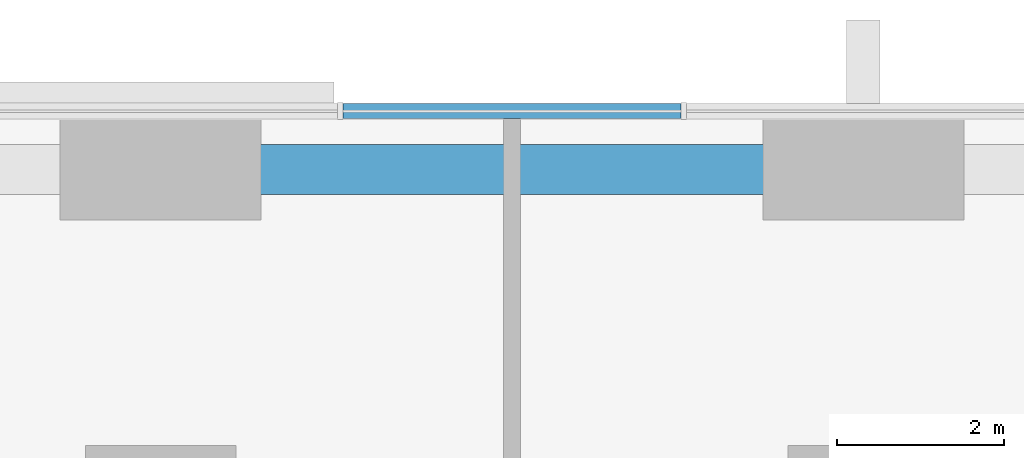
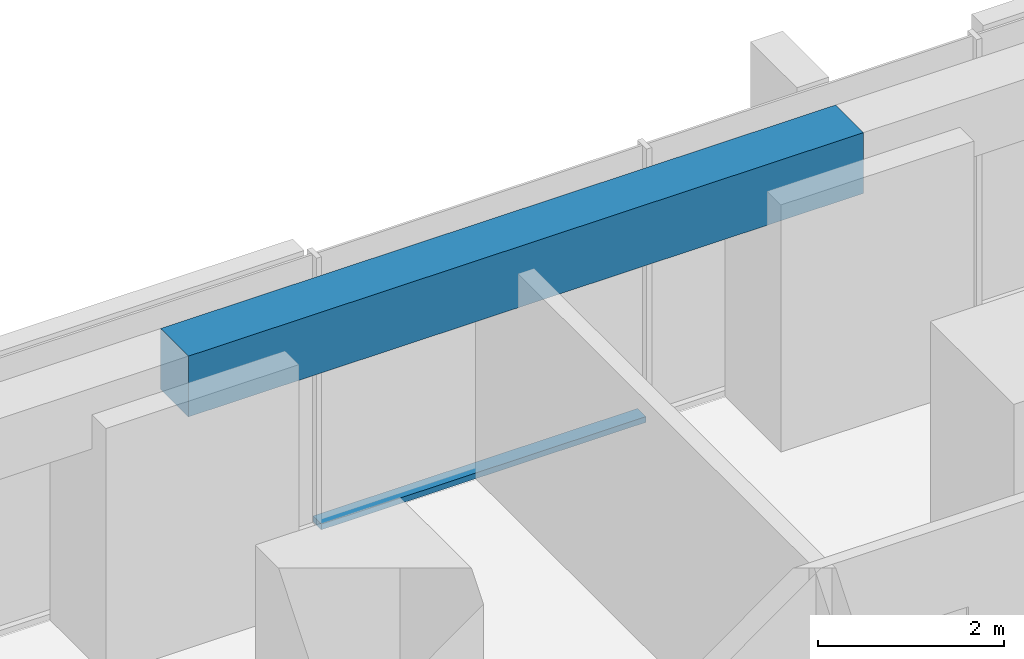
# One storey, part 7 of 17: 1 beam, 1 member, 1 element without a shape of its own.
"""IFC4 building model written with IfcOpenShell, lengths in metres."""

from ifc_helpers import new_model, si_unit, direction, frame, origin, origin_2d, place, context, subcontext, project, spatial, rectangle, extrude, material, material_profile, profile_set, type_object, element, aggregate, save


model = new_model("IFC4")

# Units and contexts
model_context = context("Model", 3, precision=1e-05, world=origin(), true_north=direction((0.0, 1.0)))
body_context = subcontext(model_context, "Body", "Model", "MODEL_VIEW")
ifc_project = project(units=[si_unit("LENGTHUNIT", "METRE"), si_unit("AREAUNIT", "SQUARE_METRE"), si_unit("VOLUMEUNIT", "CUBIC_METRE"), si_unit("PLANEANGLEUNIT", "RADIAN"), si_unit("MASSUNIT", "GRAM", prefix="KILO")], contexts=[model_context])

# Site, building, storey
site_placement = place(None, origin())
site = spatial("IfcSite", under=ifc_project, at=site_placement, CompositionType="ELEMENT")
building_placement = place(site_placement, origin())
building = spatial("IfcBuilding", under=site, at=building_placement, Name="Dunama Terrace Hotel", CompositionType="ELEMENT")
storey_placement = place(building_placement, frame((0.0, 0.0, 37.800048828125)))
storey = spatial("IfcBuildingStorey", under=building, at=storey_placement, Name="L08", CompositionType="ELEMENT", Elevation=37.800048828125)

# Curtain wall, member
ifc_material_1 = material(Name="Aluminium curtain wall system", Category="aluminium")
curtain_wall_type = type_object("IfcCurtainWallType", Name="Unitised fritted glass wall CW-A", PredefinedType="NOTDEFINED", material=ifc_material_1)
curtain_wall_placement = place(storey_placement, origin())
curtain_wall = element("IfcCurtainWall", 1, at=curtain_wall_placement, inside=storey, type_object=curtain_wall_type, Name="Unitised fritted glass wall CW-A L08", PredefinedType="NOTDEFINED")
ifc_material_2 = material(Name="Aluminium transom", Category="aluminium")
ifc_material_profile_1 = material_profile(ifc_material_2, rectangle(XDim=0.179931640625, YDim=0.074951171875, at=origin_2d()), Name="CWA TRANSOM 180X75")
ifc_profile_set_1 = profile_set([ifc_material_profile_1], Name="Aluminium transom")
member_type = type_object("IfcMemberType", Name="CWA transom 180x75", PredefinedType="USERDEFINED", material=ifc_profile_set_1)
member_placement = place(storey_placement, frame((31.4208984375, 58.89990234375, 0.037353515625), z_axis=(-1.0, 0.0, 0.0), x_axis=(0.0, -1.0, 0.0)))
member = element("IfcMember", 2, at=member_placement, type_object=member_type, Name="CWA transom", ObjectType="TRANSOM", PredefinedType="USERDEFINED", context=body_context, shape_type="SweptSolid", body=[
    extrude(rectangle(XDim=0.179931640625, YDim=0.074951171875, at=origin_2d()), origin(), (0.0, 0.0, 1.0), 4.0419921875),
])
aggregate(curtain_wall, [member])

# Beam
ifc_material_3 = material(Name="Concrete C40/50", Category="concrete")
ifc_material_profile_2 = material_profile(ifc_material_3, rectangle(XDim=0.60009765625, YDim=0.800048828125, at=origin_2d()), Name="RC 600x800")
ifc_profile_set_2 = profile_set([ifc_material_profile_2], Name="Concrete C40/50")
beam_type = type_object("IfcBeamType", Name="Edge beam RC 600x800", PredefinedType="SPANDREL", material=ifc_profile_set_2)
beam_placement = place(storey_placement, frame((25.199951171875, 58.199951171875, 3.199951171875), z_axis=(1.0, 0.0, 0.0), x_axis=(0.0, 1.0, 0.0)))
element("IfcBeam", 3, at=beam_placement, inside=storey, type_object=beam_type, Name="Edge beam under L09", PredefinedType="SPANDREL", context=body_context, shape_type="SweptSolid", body=[
    extrude(rectangle(XDim=0.60009765625, YDim=0.800048828125, at=origin_2d()), origin(), (0.0, 0.0, 1.0), 8.400146484375),
])

save(model, "model.ifc")
